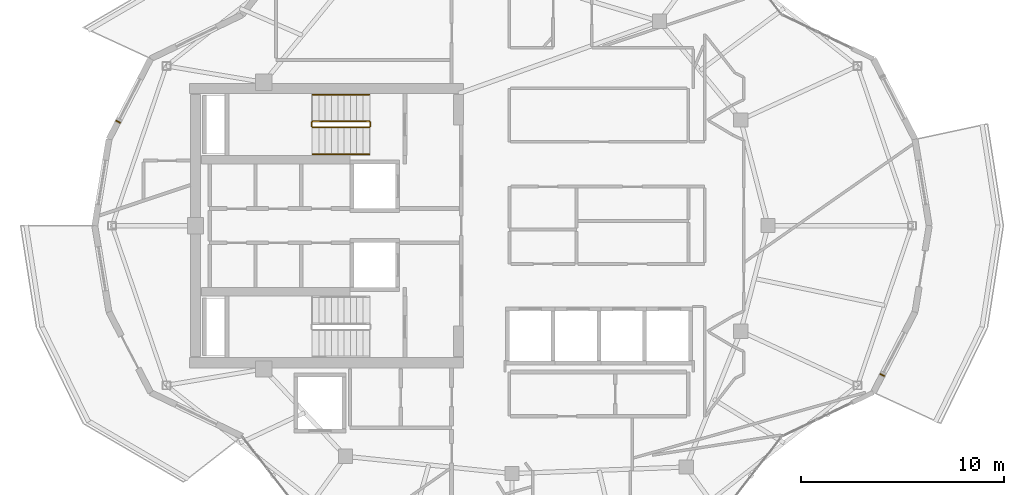
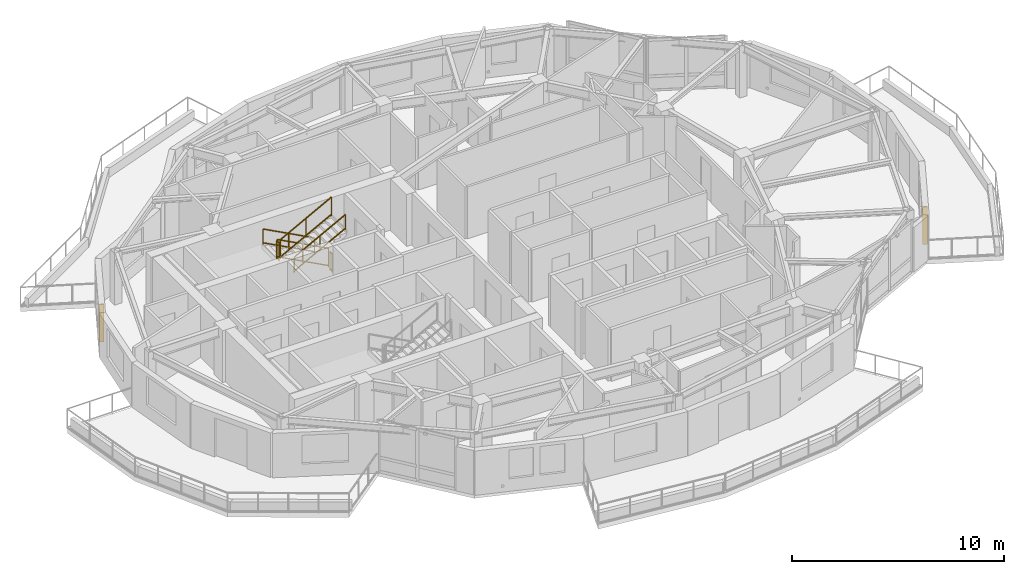
# One storey, part 13 of 15: 6 railings, 2 shading devices.
"""IFC4 building model written with IfcOpenShell, lengths in metres."""

from ifc_helpers import new_model, si_unit, direction, frame, origin, origin_2d, place, context, subcontext, project, spatial, rectangle, extrude, material, type_object, element, save


model = new_model("IFC4")

# Units and contexts
model_context = context("Model", 3, precision=1e-05, world=origin(), true_north=direction((0.0, 1.0)))
body_context = subcontext(model_context, "Body", "Model", "MODEL_VIEW")
ifc_project = project(units=[si_unit("LENGTHUNIT", "METRE"), si_unit("AREAUNIT", "SQUARE_METRE"), si_unit("VOLUMEUNIT", "CUBIC_METRE"), si_unit("PLANEANGLEUNIT", "RADIAN"), si_unit("MASSUNIT", "GRAM", prefix="KILO")], contexts=[model_context])

# Site, building, storey
site_placement = place(None, origin())
site = spatial("IfcSite", under=ifc_project, at=site_placement, CompositionType="ELEMENT")
building_placement = place(site_placement, origin())
building = spatial("IfcBuilding", under=site, at=building_placement, Name="Kolvaren Gate Tower and Convention Centre", CompositionType="ELEMENT")
storey_placement = place(building_placement, frame((0.0, 0.0, 272.300048828125)))
storey = spatial("IfcBuildingStorey", under=building, at=storey_placement, Name="L74", CompositionType="ELEMENT", Elevation=272.300048828125)

# Railings
ifc_material_1 = material(Name="Brushed Stainless Steel Grade 316L", Category="steel")
railing_type_1 = type_object("IfcRailingType", Name="ARCH-RL-GUARD-1150", PredefinedType="GUARDRAIL", material=ifc_material_1)
railing_1_placement = place(storey_placement, frame((23.10009765625, 32.1298828125, 0.1650390625)))
element("IfcRailing", 1, at=railing_1_placement, inside=storey, type_object=railing_type_1, Name="L74 ST-T1 stair guard 1", PredefinedType="GUARDRAIL", context=body_context, shape_type="SweptSolid", body=[
    extrude(rectangle(XDim=0.048095703125, YDim=0.048095703125, at=origin_2d()), frame((0.0, 0.0, 1.076171875), z_axis=(-0.882767428149, 0.0, 0.469810246588), x_axis=(0.0, -1.0, 0.0)), (0.0, 0.0, 1.0), 3.16064453125),
    extrude(rectangle(XDim=0.048095703125, YDim=0.048095703125, at=origin_2d()), frame((0.0, 0.0, 0.083984375), z_axis=(-0.882767428149, 0.0, 0.469810246588), x_axis=(0.0, -1.0, 0.0)), (0.0, 0.0, 1.0), 3.16064453125),
    extrude(rectangle(XDim=0.0419921875, YDim=0.0419921875, at=origin_2d()), origin(), (0.0, 0.0, 1.0), 1.050048828125),
    extrude(rectangle(XDim=0.0419921875, YDim=0.0419921875, at=origin_2d()), frame((-2.7900390625, 0.0, 1.48486328125)), (0.0, 0.0, 1.0), 1.050048828125),
    extrude(rectangle(XDim=0.0419921875, YDim=0.0419921875, at=origin_2d()), frame((-1.39501953125, 0.0, 0.742431640625)), (0.0, 0.0, 1.0), 1.050048828125),
])
railing_2_placement = place(storey_placement, frame((20.260009765625, 32.080078125, 1.64990234375)))
element("IfcRailing", 2, at=railing_2_placement, inside=storey, type_object=railing_type_1, Name="L74 ST-T1 stair guard 2", PredefinedType="GUARDRAIL", context=body_context, shape_type="SweptSolid", body=[
    extrude(rectangle(XDim=0.048095703125, YDim=0.048095703125, at=origin_2d()), frame((0.0, 0.0, 1.076171875), z_axis=(0.0, -1.0, 0.0), x_axis=(1.0, 0.0, 0.0)), (0.0, 0.0, 1.0), 0.2001953125),
    extrude(rectangle(XDim=0.048095703125, YDim=0.048095703125, at=origin_2d()), frame((0.0, 0.0, 0.083984375), z_axis=(0.0, -1.0, 0.0), x_axis=(1.0, 0.0, 0.0)), (0.0, 0.0, 1.0), 0.2001953125),
    extrude(rectangle(XDim=0.0419921875, YDim=0.0419921875, at=origin_2d()), origin(), (0.0, 0.0, 1.0), 1.050048828125),
    extrude(rectangle(XDim=0.0419921875, YDim=0.0419921875, at=origin_2d()), frame((0.0, -0.2001953125, 0.0)), (0.0, 0.0, 1.0), 1.050048828125),
])
railing_3_placement = place(storey_placement, frame((20.31005859375, 31.830078125, 1.81494140625)))
element("IfcRailing", 3, at=railing_3_placement, inside=storey, type_object=railing_type_1, Name="L74 ST-T1 stair guard 3", PredefinedType="GUARDRAIL", context=body_context, shape_type="SweptSolid", body=[
    extrude(rectangle(XDim=0.048095703125, YDim=0.048095703125, at=origin_2d()), frame((0.0, 0.0, 1.076171875), z_axis=(0.882735390775, 0.0, 0.469870439454), x_axis=(0.0, 1.0, 0.0)), (0.0, 0.0, 1.0), 3.16064453125),
    extrude(rectangle(XDim=0.048095703125, YDim=0.048095703125, at=origin_2d()), frame((0.0, 0.0, 0.083984375), z_axis=(0.882735390775, 0.0, 0.469870439454), x_axis=(0.0, 1.0, 0.0)), (0.0, 0.0, 1.0), 3.16064453125),
    extrude(rectangle(XDim=0.0419921875, YDim=0.0419921875, at=origin_2d()), origin(), (0.0, 0.0, 1.0), 1.050048828125),
    extrude(rectangle(XDim=0.0419921875, YDim=0.0419921875, at=origin_2d()), frame((2.7900390625, 0.0, 1.485107421875)), (0.0, 0.0, 1.0), 1.050048828125),
    extrude(rectangle(XDim=0.0419921875, YDim=0.0419921875, at=origin_2d()), frame((1.39501953125, 0.0, 0.74267578125)), (0.0, 0.0, 1.0), 1.050048828125),
])
railing_4_placement = place(storey_placement, frame((23.14990234375, 32.080078125, 0.0)))
element("IfcRailing", 4, at=railing_4_placement, inside=storey, type_object=railing_type_1, Name="L74 ST-T1 stair guard 4", PredefinedType="GUARDRAIL", context=body_context, shape_type="SweptSolid", body=[
    extrude(rectangle(XDim=0.048095703125, YDim=0.048095703125, at=origin_2d()), frame((0.0, 0.0, 1.076171875), z_axis=(0.0, -1.0, 0.0), x_axis=(1.0, 0.0, 0.0)), (0.0, 0.0, 1.0), 0.2001953125),
    extrude(rectangle(XDim=0.048095703125, YDim=0.048095703125, at=origin_2d()), frame((0.0, 0.0, 0.083984375), z_axis=(0.0, -1.0, 0.0), x_axis=(1.0, 0.0, 0.0)), (0.0, 0.0, 1.0), 0.2001953125),
    extrude(rectangle(XDim=0.0419921875, YDim=0.0419921875, at=origin_2d()), origin(), (0.0, 0.0, 1.0), 1.050048828125),
    extrude(rectangle(XDim=0.0419921875, YDim=0.0419921875, at=origin_2d()), frame((0.0, -0.2001953125, 0.0)), (0.0, 0.0, 1.0), 1.050048828125),
])
railing_type_2 = type_object("IfcRailingType", Name="ARCH-RL-HANDRAIL-920", PredefinedType="HANDRAIL", material=ifc_material_1)
railing_5_placement = place(storey_placement, frame((23.10009765625, 33.449951171875, 0.1650390625)))
element("IfcRailing", 5, at=railing_5_placement, inside=storey, type_object=railing_type_2, Name="L74 ST-T1 stair handrail 1", PredefinedType="HANDRAIL", context=body_context, shape_type="SweptSolid", body=[
    extrude(rectangle(XDim=0.048095703125, YDim=0.048095703125, at=origin_2d()), frame((0.0, 0.0, 0.8759765625), z_axis=(-0.882767428149, 0.0, 0.469810246588), x_axis=(0.0, -1.0, 0.0)), (0.0, 0.0, 1.0), 3.16064453125),
    extrude(rectangle(XDim=0.048095703125, YDim=0.048095703125, at=origin_2d()), frame((0.0, 0.0, 0.083984375), z_axis=(-0.882767428149, 0.0, 0.469810246588), x_axis=(0.0, -1.0, 0.0)), (0.0, 0.0, 1.0), 3.16064453125),
    extrude(rectangle(XDim=0.0419921875, YDim=0.0419921875, at=origin_2d()), origin(), (0.0, 0.0, 1.0), 0.849853515625),
    extrude(rectangle(XDim=0.0419921875, YDim=0.0419921875, at=origin_2d()), frame((-2.7900390625, 0.0, 1.48486328125)), (0.0, 0.0, 1.0), 0.849853515625),
    extrude(rectangle(XDim=0.0419921875, YDim=0.0419921875, at=origin_2d()), frame((-1.39501953125, 0.0, 0.742431640625)), (0.0, 0.0, 1.0), 0.849853515625),
])
railing_6_placement = place(storey_placement, frame((20.31005859375, 30.510009765625, 1.81494140625)))
element("IfcRailing", 6, at=railing_6_placement, inside=storey, type_object=railing_type_2, Name="L74 ST-T1 stair handrail 2", PredefinedType="HANDRAIL", context=body_context, shape_type="SweptSolid", body=[
    extrude(rectangle(XDim=0.048095703125, YDim=0.048095703125, at=origin_2d()), frame((0.0, 0.0, 0.8759765625), z_axis=(0.882735390775, 0.0, 0.469870439454), x_axis=(0.0, 1.0, 0.0)), (0.0, 0.0, 1.0), 3.16064453125),
    extrude(rectangle(XDim=0.048095703125, YDim=0.048095703125, at=origin_2d()), frame((0.0, 0.0, 0.083984375), z_axis=(0.882735390775, 0.0, 0.469870439454), x_axis=(0.0, 1.0, 0.0)), (0.0, 0.0, 1.0), 3.16064453125),
    extrude(rectangle(XDim=0.0419921875, YDim=0.0419921875, at=origin_2d()), origin(), (0.0, 0.0, 1.0), 0.849853515625),
    extrude(rectangle(XDim=0.0419921875, YDim=0.0419921875, at=origin_2d()), frame((2.7900390625, 0.0, 1.485107421875)), (0.0, 0.0, 1.0), 0.849853515625),
    extrude(rectangle(XDim=0.0419921875, YDim=0.0419921875, at=origin_2d()), frame((1.39501953125, 0.0, 0.74267578125)), (0.0, 0.0, 1.0), 0.849853515625),
])

# Shading devices
ifc_material_2 = material(Name="Kiln-Fired Bogota Terracotta Ceramic Louvre Profile", Category="masonry")
shading_device_type = type_object("IfcShadingDeviceType", Name="ARCH-SHD-FIN-180", PredefinedType="JALOUSIE", material=ifc_material_2)
for number, where, z_axis, x_axis, name in (
    (7, (10.739501953125, 32.112548828125, 0.219970703125), (0.0, 0.0, 1.0), (0.459793759781, 0.888025730746, 0.0), "Ceramic Vertical Brise-Soleil Fin FN-L74-10"),
    (8, (48.3515625, 19.64892578125, 0.219970703125), (0.0, 0.0, 1.0), (0.459793759781, 0.888025730746, 0.0), "Ceramic Vertical Brise-Soleil Fin FN-L74-22"),
):
    element("IfcShadingDevice", number, at=place(storey_placement, frame(where, z_axis=z_axis, x_axis=x_axis)), inside=storey, type_object=shading_device_type, Name=name, PredefinedType="JALOUSIE", context=body_context, shape_type="SweptSolid", body=[
        extrude(rectangle(XDim=0.06005859375, YDim=0.239990234375, at=origin_2d()), origin(), (0.0, 0.0, 1.0), 2.14990234375),
    ])

save(model, "model.ifc")
